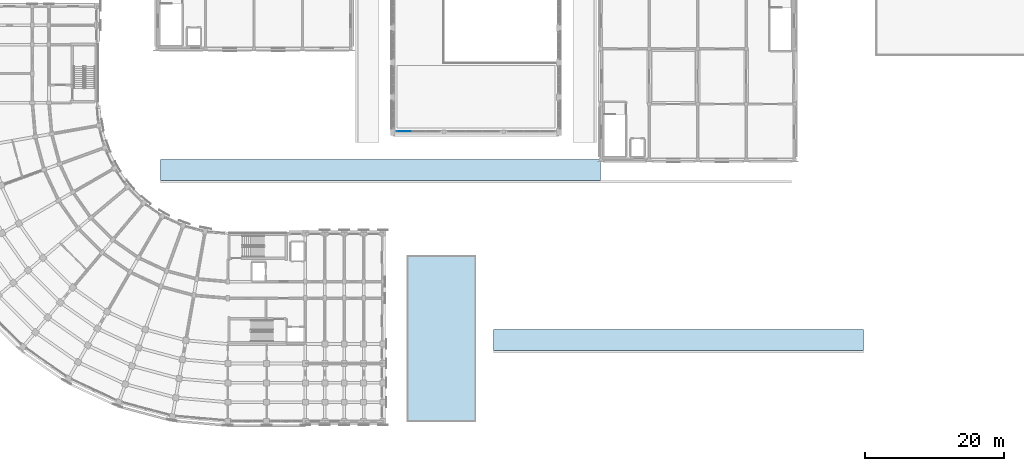
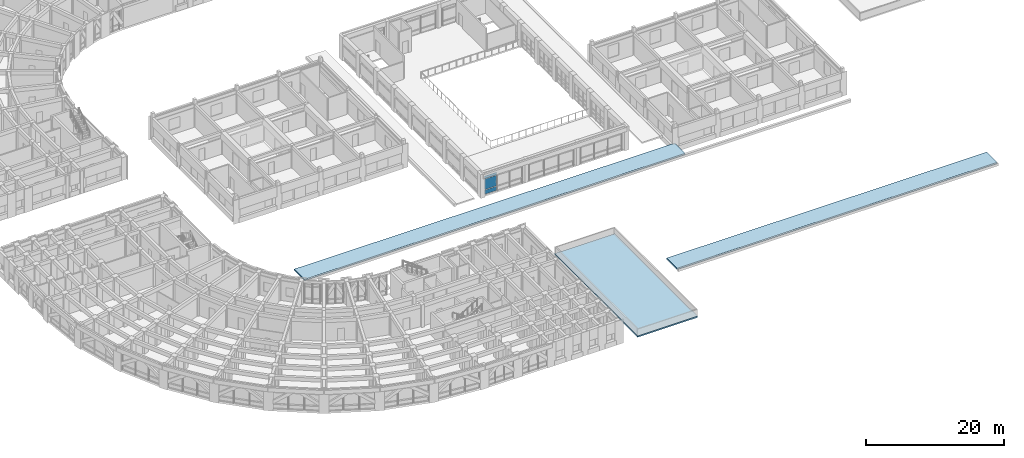
# One storey, part 44 of 97: 3 plates, 3 slabs, 1 element without a shape of its own.
"""IFC4 building model written with IfcOpenShell, lengths in metres."""

from ifc_helpers import new_model, si_unit, direction, frame, origin, origin_2d, place, context, subcontext, project, spatial, polyline, rectangle, outline, extrude, material, layer, layer_set, type_object, element, aggregate, save


model = new_model("IFC4")

# Units and contexts
model_context = context("Model", 3, precision=1e-05, world=origin(), true_north=direction((0.0, 1.0)))
body_context = subcontext(model_context, "Body", "Model", "MODEL_VIEW")
ifc_project = project(units=[si_unit("LENGTHUNIT", "METRE"), si_unit("AREAUNIT", "SQUARE_METRE"), si_unit("VOLUMEUNIT", "CUBIC_METRE"), si_unit("PLANEANGLEUNIT", "RADIAN"), si_unit("MASSUNIT", "GRAM", prefix="KILO")], contexts=[model_context])

# Site, building, storey
site_placement = place(None, origin())
site = spatial("IfcSite", under=ifc_project, at=site_placement, CompositionType="ELEMENT")
building_placement = place(site_placement, origin())
building = spatial("IfcBuilding", under=site, at=building_placement, Name="Kiranvali Square Residences", CompositionType="ELEMENT")
storey_placement = place(building_placement, frame((0.0, 0.0, 4.5)))
storey = spatial("IfcBuildingStorey", under=building, at=storey_placement, Name="L01", CompositionType="ELEMENT", Elevation=4.5)

# Curtain wall, plates
ifc_material_1 = material(Name="Anodised bronze aluminium framing", Category="aluminium")
curtain_wall_type = type_object("IfcCurtainWallType", Name="CW-CH-GLZ", PredefinedType="USERDEFINED", material=ifc_material_1)
curtain_wall_placement = place(storey_placement, origin())
curtain_wall = element("IfcCurtainWall", 1, at=curtain_wall_placement, inside=storey, type_object=curtain_wall_type, Name="Community Hall S gallery bay 1", ObjectType="CURTAIN WALL", PredefinedType="USERDEFINED")
ifc_material_2 = material(Name="Solar-control low-e double glazing", Category="glass")
ifc_layer_1 = layer(ifc_material_2, 0.028076171875)
ifc_layer_set_1 = layer_set([ifc_layer_1], Name="Solar-control low-e double glazing")
plate_type_1 = type_object("IfcPlateType", Name="PLT-CW-GLZ", PredefinedType="CURTAIN_PANEL", material=ifc_layer_set_1)
plate_1_placement = place(storey_placement, frame((73.63330078125, 44.080078125, 0.889892578125), z_axis=(0.0, 0.0, 1.0), x_axis=(1.0, 0.0, 0.0)))
plate_1 = element("IfcPlate", 2, at=plate_1_placement, type_object=plate_type_1, Name="CW-CH-GAB-S1-1 glazed panel 1.2", PredefinedType="CURTAIN_PANEL", context=body_context, shape_type="SweptSolid", body=[
    extrude(rectangle(XDim=1.98681640625, YDim=0.028076171875, at=origin_2d()), origin(), (0.0, 0.0, 1.0), 1.8701171875),
])
plate_2_placement = place(storey_placement, frame((73.63330078125, 44.080078125, 2.83984375), z_axis=(0.0, 0.0, 1.0), x_axis=(1.0, 0.0, 0.0)))
plate_2 = element("IfcPlate", 3, at=plate_2_placement, type_object=plate_type_1, Name="CW-CH-GAB-S1-1 glazed panel 1.3", PredefinedType="CURTAIN_PANEL", context=body_context, shape_type="SweptSolid", body=[
    extrude(rectangle(XDim=1.98681640625, YDim=0.028076171875, at=origin_2d()), origin(), (0.0, 0.0, 1.0), 0.429931640625),
])
ifc_material_3 = material(Name="Honed Porbandar limestone ashlar facade cladding", Category="masonry")
ifc_layer_2 = layer(ifc_material_3, 0.02392578125)
ifc_layer_set_2 = layer_set([ifc_layer_2], Name="Honed Porbandar limestone ashlar facade cladding")
plate_type_2 = type_object("IfcPlateType", Name="PLT-CW-SPN", PredefinedType="SHEET", material=ifc_layer_set_2)
plate_3_placement = place(storey_placement, frame((73.63330078125, 44.080078125, 0.080078125), z_axis=(0.0, 0.0, 1.0), x_axis=(1.0, 0.0, 0.0)))
plate_3 = element("IfcPlate", 4, at=plate_3_placement, type_object=plate_type_2, Name="CW-CH-GAB-S1-1 spandrel panel 1.1", PredefinedType="SHEET", context=body_context, shape_type="SweptSolid", body=[
    extrude(rectangle(XDim=1.98681640625, YDim=0.02392578125, at=origin_2d()), origin(), (0.0, 0.0, 1.0), 0.72998046875),
])
aggregate(curtain_wall, [plate_3, plate_1, plate_2])

# Slabs
ifc_material_4 = material(Name="Concrete M40 (40 MPa)", Category="concrete")
ifc_layer_3 = layer(ifc_material_4, 0.239990234375)
ifc_layer_set_3 = layer_set([ifc_layer_3], Name="Concrete M40 (40 MPa)")
slab_type = type_object("IfcSlabType", Name="SLB-ROOF-240", PredefinedType="ROOF", material=ifc_layer_set_3)
slab_1_placement = place(storey_placement, frame((0.0, 0.0, -0.239990234375)))
element("IfcSlab", 5, at=slab_1_placement, inside=storey, type_object=slab_type, Name="South Boulevard Arcade Portal roof slab", PredefinedType="ROOF", context=body_context, shape_type="SweptSolid", body=[
    extrude(outline(polyline([(74.0, 2.199951171875), (84.0, 2.199951171875), (84.0, 26.199951171875), (74.0, 26.199951171875), (74.0, 2.199951171875)])), origin(), (0.0, 0.0, 1.0), 0.239990234375),
])
slab_2_placement = place(storey_placement, frame((0.0, 0.0, 1.06005859375)))
element("IfcSlab", 6, at=slab_2_placement, inside=storey, type_object=slab_type, Name="Classical Ottoman colonnade entablature roof ARC-SQ-S", PredefinedType="ROOF", context=body_context, shape_type="SweptSolid", body=[
    extrude(outline(polyline([(86.5, 12.5), (139.89990234375, 12.5), (139.89990234375, 15.5), (86.5, 15.5), (86.5, 12.5)])), origin(), (0.0, 0.0, 1.0), 0.239990234375),
])
slab_3_placement = place(storey_placement, frame((0.0, 0.0, 1.06005859375)))
element("IfcSlab", 7, at=slab_3_placement, inside=storey, type_object=slab_type, Name="Classical Ottoman colonnade entablature roof ARC-GDN-S", PredefinedType="ROOF", context=body_context, shape_type="SweptSolid", body=[
    extrude(outline(polyline([(38.5, 37.0), (102.0, 37.0), (102.0, 40.0), (38.5, 40.0), (38.5, 37.0)])), origin(), (0.0, 0.0, 1.0), 0.239990234375),
])

save(model, "model.ifc")
